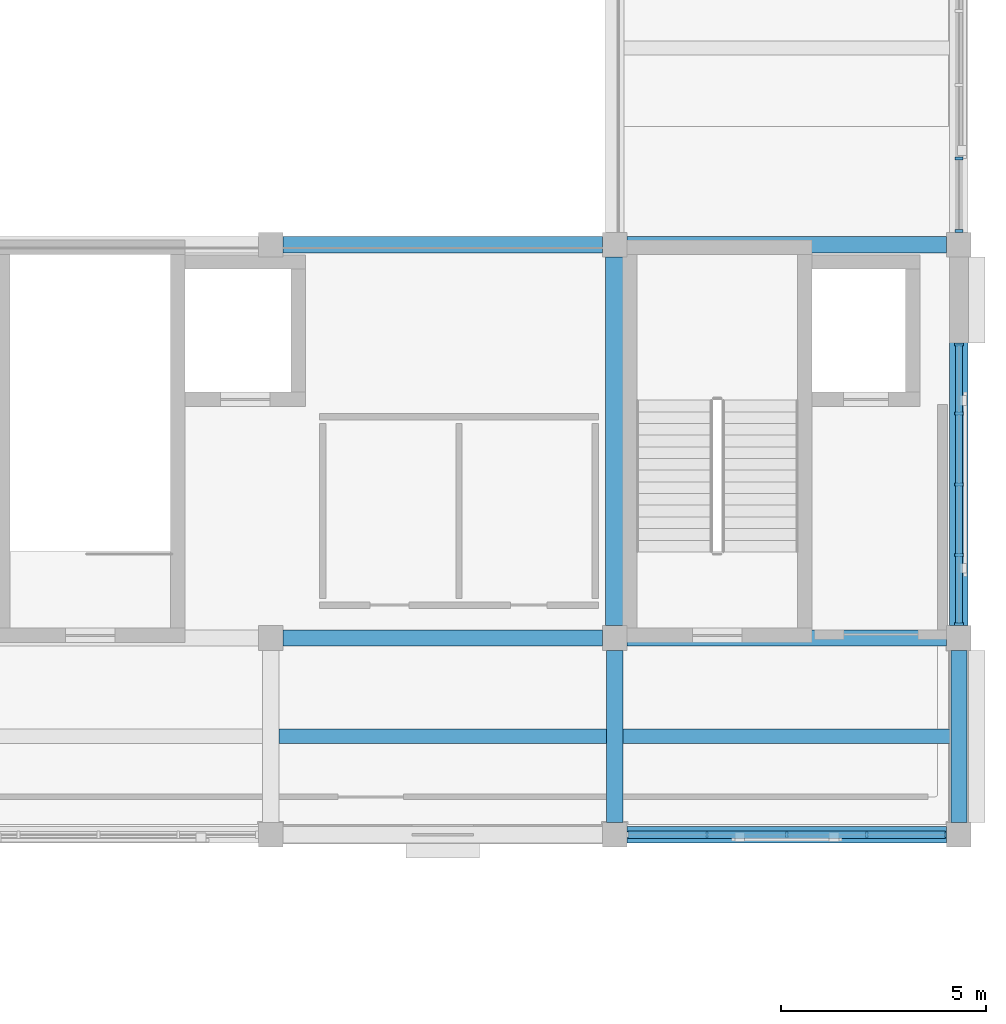
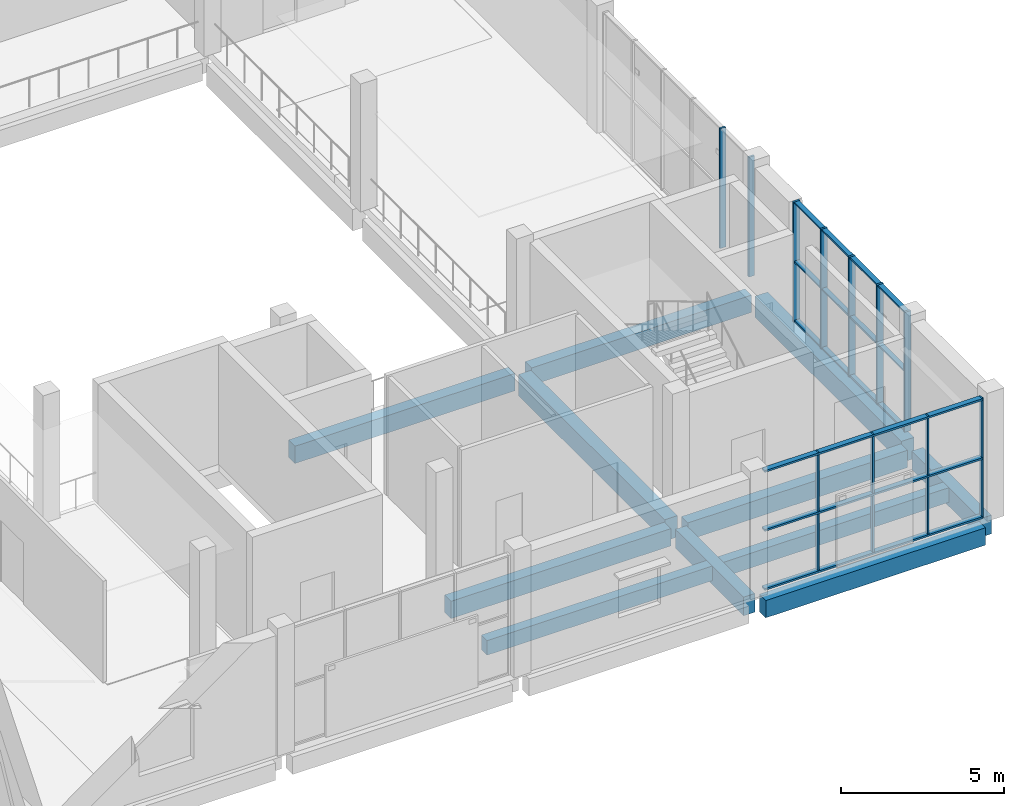
# One storey, part 10 of 37: 17 members, 11 beams, 3 elements without a shape of their own.
"""IFC4 building model written with IfcOpenShell, lengths in metres."""

from ifc_helpers import new_model, si_unit, direction, frame, origin, origin_2d, place, context, subcontext, project, spatial, rectangle, extrude, material, material_profile, profile_set, type_object, element, aggregate, save


model = new_model("IFC4")

# Units and contexts
model_context = context("Model", 3, precision=1e-05, world=origin(), true_north=direction((0.0, 1.0)))
body_context = subcontext(model_context, "Body", "Model", "MODEL_VIEW")
ifc_project = project(units=[si_unit("LENGTHUNIT", "METRE"), si_unit("AREAUNIT", "SQUARE_METRE"), si_unit("VOLUMEUNIT", "CUBIC_METRE"), si_unit("PLANEANGLEUNIT", "RADIAN"), si_unit("MASSUNIT", "GRAM", prefix="KILO")], contexts=[model_context])

# Site, building, storey
site_placement = place(None, origin())
site = spatial("IfcSite", under=ifc_project, at=site_placement, CompositionType="ELEMENT")
building_placement = place(site_placement, origin())
building = spatial("IfcBuilding", under=site, at=building_placement, Name="Shalvenor Court Art Gallery", CompositionType="ELEMENT")
storey_placement = place(building_placement, frame((0.0, 0.0, 22.199951171875)))
storey = spatial("IfcBuildingStorey", under=building, at=storey_placement, Name="L04", CompositionType="ELEMENT", Elevation=22.199951171875)

# Beams
ifc_material_1 = material(Name="Concrete C40/50", Category="concrete")
ifc_material_profile_1 = material_profile(ifc_material_1, rectangle(XDim=0.449951171875, YDim=0.800048828125, at=origin_2d()), Name="RC 450x800")
ifc_profile_set_1 = profile_set([ifc_material_profile_1], Name="Concrete C40/50")
beam_type_1 = type_object("IfcBeamType", Name="B-03", PredefinedType="BEAM", material=ifc_profile_set_1)
for number, where, z_axis, x_axis, name in (
    (1, (168.0, 50.699951171875, -0.699951171875), (0.0, 1.0, 0.0), (-1.0, 0.0, 0.0), "L04 Girder BM-L04-B-03-1194"),
    (2, (176.39990234375, 50.699951171875, -0.699951171875), (0.0, 1.0, 0.0), (-1.0, 0.0, 0.0), "L04 Girder BM-L04-B-03-1200"),
):
    element("IfcBeam", number, at=place(storey_placement, frame(where, z_axis=z_axis, x_axis=x_axis)), inside=storey, type_object=beam_type_1, Name=name, PredefinedType="BEAM", context=body_context, shape_type="SweptSolid", body=[
        extrude(rectangle(XDim=0.449951171875, YDim=0.800048828125, at=origin_2d()), origin(), (0.0, 0.0, 1.0), 9.0),
    ])
ifc_material_2 = material(Name="Concrete C40/50", Category="concrete")
ifc_material_profile_2 = material_profile(ifc_material_2, rectangle(XDim=0.39990234375, YDim=0.699951171875, at=origin_2d()), Name="RC 400x700")
ifc_profile_set_2 = profile_set([ifc_material_profile_2], Name="Concrete C40/50")
beam_type_2 = type_object("IfcBeamType", Name="B-05", PredefinedType="BEAM", material=ifc_profile_set_2)
for number, where, z_axis, x_axis, name in (
    (3, (168.0, 45.89990234375, -0.64990234375), (0.0, 1.0, 0.0), (-1.0, 0.0, 0.0), "L04 Girder BM-L04-B-05-1193"),
    (4, (176.39990234375, 45.89990234375, -0.64990234375), (0.0, 1.0, 0.0), (-1.0, 0.0, 0.0), "L04 Girder BM-L04-B-05-1199"),
):
    element("IfcBeam", number, at=place(storey_placement, frame(where, z_axis=z_axis, x_axis=x_axis)), inside=storey, type_object=beam_type_2, Name=name, PredefinedType="BEAM", context=body_context, shape_type="SweptSolid", body=[
        extrude(rectangle(XDim=0.39990234375, YDim=0.699951171875, at=origin_2d()), origin(), (0.0, 0.0, 1.0), 4.2001953125),
    ])
ifc_material_3 = material(Name="Concrete C40/50", Category="concrete")
ifc_material_profile_3 = material_profile(ifc_material_3, rectangle(XDim=0.39990234375, YDim=0.64990234375, at=origin_2d()), Name="RC 400x650")
ifc_profile_set_3 = profile_set([ifc_material_profile_3], Name="Concrete C40/50")
beam_type_3 = type_object("IfcBeamType", Name="B-06", PredefinedType="BEAM", material=ifc_profile_set_3)
for number, where, z_axis, x_axis, name in (
    (5, (168.300048828125, 45.60009765625, -0.625), (1.0, 0.0, 0.0), (0.0, 1.0, 0.0), "L04 Girder BM-L04-B-06-1218"),
    (6, (159.89990234375, 50.39990234375, -0.625), (1.0, 0.0, 0.0), (0.0, 1.0, 0.0), "L04 Girder BM-L04-B-06-1221"),
    (7, (168.300048828125, 50.39990234375, -0.625), (1.0, 0.0, 0.0), (0.0, 1.0, 0.0), "L04 Girder BM-L04-B-06-1222"),
    (8, (159.89990234375, 60.0, -0.625), (1.0, 0.0, 0.0), (0.0, 1.0, 0.0), "L04 Girder BM-L04-B-06-1225"),
    (9, (168.300048828125, 60.0, -0.625), (1.0, 0.0, 0.0), (0.0, 1.0, 0.0), "L04 Girder BM-L04-B-06-1226"),
):
    element("IfcBeam", number, at=place(storey_placement, frame(where, z_axis=z_axis, x_axis=x_axis)), inside=storey, type_object=beam_type_3, Name=name, PredefinedType="BEAM", context=body_context, shape_type="SweptSolid", body=[
        extrude(rectangle(XDim=0.39990234375, YDim=0.64990234375, at=origin_2d()), origin(), (0.0, 0.0, 1.0), 7.800048828125),
    ])

# Curtain wall, members
ifc_material_4 = material(Name="Anodised aluminium and low-iron glass curtain wall", Category="aluminium")
curtain_wall_type_1 = type_object("IfcCurtainWallType", Name="CW-5x2-90-45-212", PredefinedType="USERDEFINED", material=ifc_material_4)
curtain_wall_1_placement = place(storey_placement, origin())
curtain_wall_1 = element("IfcCurtainWall", 10, at=curtain_wall_1_placement, inside=storey, type_object=curtain_wall_type_1, Name="L04 V1 Curtain Wall CW-L04-033", ObjectType="CURTAIN WALL", PredefinedType="USERDEFINED")
ifc_material_5 = material(Name="Anodised aluminium mullion", Category="aluminium")
ifc_material_profile_4 = material_profile(ifc_material_5, rectangle(XDim=0.070068359375, YDim=0.199951171875, at=origin_2d()), Name="CWM-02")
ifc_profile_set_4 = profile_set([ifc_material_profile_4], Name="Anodised aluminium mullion")
member_type_1 = type_object("IfcMemberType", Name="CWM-02", PredefinedType="MULLION", material=ifc_profile_set_4)
member_1_placement = place(storey_placement, frame((176.39990234375, 62.10009765625, 0.0), z_axis=(0.0, 0.0, 1.0), x_axis=(0.0, -1.0, 0.0)))
member_1 = element("IfcMember", 11, at=member_1_placement, type_object=member_type_1, Name="CW-5x2-90-45-212 mullion 5", PredefinedType="MULLION", context=body_context, shape_type="SweptSolid", body=[
    extrude(rectangle(XDim=0.070068359375, YDim=0.199951171875, at=origin_2d()), origin(), (0.0, 0.0, 1.0), 4.5),
])
member_2_placement = place(storey_placement, frame((176.39990234375, 60.3349609375, 0.0), z_axis=(0.0, 0.0, 1.0), x_axis=(0.0, -1.0, 0.0)))
member_2 = element("IfcMember", 12, at=member_2_placement, type_object=member_type_1, Name="CW-5x2-90-45-212 mullion 6", PredefinedType="MULLION", context=body_context, shape_type="SweptSolid", body=[
    extrude(rectangle(XDim=0.070068359375, YDim=0.199951171875, at=origin_2d()), origin(), (0.0, 0.0, 1.0), 4.5),
])
aggregate(curtain_wall_1, [member_1, member_2])

ifc_material_6 = material(Name="Anodised aluminium and low-iron glass curtain wall", Category="aluminium")
curtain_wall_type_2 = type_object("IfcCurtainWallType", Name="CW-4x2-69-45-422", PredefinedType="USERDEFINED", material=ifc_material_6)
curtain_wall_2_placement = place(storey_placement, origin())
curtain_wall_2 = element("IfcCurtainWall", 13, at=curtain_wall_2_placement, inside=storey, type_object=curtain_wall_type_2, Name="L04 V1 Curtain Wall CW-L04-034", ObjectType="CURTAIN WALL", PredefinedType="USERDEFINED")
ifc_material_7 = material(Name="Anodised aluminium mullion", Category="aluminium")
ifc_material_profile_5 = material_profile(ifc_material_7, rectangle(XDim=0.074951171875, YDim=0.219970703125, at=origin_2d()), Name="CWM-04")
ifc_profile_set_5 = profile_set([ifc_material_profile_5], Name="Anodised aluminium mullion")
member_type_2 = type_object("IfcMemberType", Name="CWM-04", PredefinedType="MULLION", material=ifc_profile_set_5)
member_3_placement = place(storey_placement, frame((176.39990234375, 57.5625, 0.0), z_axis=(0.0, 0.0, 1.0), x_axis=(0.0, -1.0, 0.0)))
member_3 = element("IfcMember", 14, at=member_3_placement, type_object=member_type_2, Name="CW-4x2-69-45-422 mullion 1", PredefinedType="MULLION", context=body_context, shape_type="SweptSolid", body=[
    extrude(rectangle(XDim=0.074951171875, YDim=0.219970703125, at=origin_2d()), origin(), (0.0, 0.0, 1.0), 4.5),
])
member_4_placement = place(storey_placement, frame((176.39990234375, 55.875, 0.0), z_axis=(0.0, 0.0, 1.0), x_axis=(0.0, -1.0, 0.0)))
member_4 = element("IfcMember", 15, at=member_4_placement, type_object=member_type_2, Name="CW-4x2-69-45-422 mullion 2", PredefinedType="MULLION", context=body_context, shape_type="SweptSolid", body=[
    extrude(rectangle(XDim=0.074951171875, YDim=0.219970703125, at=origin_2d()), origin(), (0.0, 0.0, 1.0), 4.5),
])
member_5_placement = place(storey_placement, frame((176.39990234375, 54.14990234375, 0.0), z_axis=(0.0, 0.0, 1.0), x_axis=(0.0, -1.0, 0.0)))
member_5 = element("IfcMember", 16, at=member_5_placement, type_object=member_type_2, Name="CW-4x2-69-45-422 mullion 3", PredefinedType="MULLION", context=body_context, shape_type="SweptSolid", body=[
    extrude(rectangle(XDim=0.074951171875, YDim=0.219970703125, at=origin_2d()), origin(), (0.0, 0.0, 1.0), 4.5),
])
member_6_placement = place(storey_placement, frame((176.39990234375, 52.425048828125, 0.0), z_axis=(0.0, 0.0, 1.0), x_axis=(0.0, -1.0, 0.0)))
member_6 = element("IfcMember", 17, at=member_6_placement, type_object=member_type_2, Name="CW-4x2-69-45-422 mullion 4", PredefinedType="MULLION", context=body_context, shape_type="SweptSolid", body=[
    extrude(rectangle(XDim=0.074951171875, YDim=0.219970703125, at=origin_2d()), origin(), (0.0, 0.0, 1.0), 4.5),
])
member_7_placement = place(storey_placement, frame((176.39990234375, 50.737548828125, 0.0), z_axis=(0.0, 0.0, 1.0), x_axis=(0.0, -1.0, 0.0)))
member_7 = element("IfcMember", 18, at=member_7_placement, type_object=member_type_2, Name="CW-4x2-69-45-422 mullion 5", PredefinedType="MULLION", context=body_context, shape_type="SweptSolid", body=[
    extrude(rectangle(XDim=0.074951171875, YDim=0.219970703125, at=origin_2d()), origin(), (0.0, 0.0, 1.0), 4.5),
])

ifc_material_8 = material(Name="Anodised aluminium and low-iron glass curtain wall", Category="aluminium")
curtain_wall_type_3 = type_object("IfcCurtainWallType", Name="CW-4x2-78-45-642", PredefinedType="USERDEFINED", material=ifc_material_8)
curtain_wall_3_placement = place(storey_placement, origin())
curtain_wall_3 = element("IfcCurtainWall", 19, at=curtain_wall_3_placement, inside=storey, type_object=curtain_wall_type_3, Name="L04 V1 Curtain Wall CW-L04-035", ObjectType="CURTAIN WALL", PredefinedType="USERDEFINED")
ifc_material_9 = material(Name="Anodised aluminium mullion", Category="aluminium")
ifc_material_profile_6 = material_profile(ifc_material_9, rectangle(XDim=0.054931640625, YDim=0.139892578125, at=origin_2d()), Name="CWM-06")
ifc_profile_set_6 = profile_set([ifc_material_profile_6], Name="Anodised aluminium mullion")
member_type_3 = type_object("IfcMemberType", Name="CWM-06", PredefinedType="MULLION", material=ifc_profile_set_6)
member_8_placement = place(storey_placement, frame((176.072509765625, 45.60009765625, 0.0), z_axis=(0.0, 0.0, 1.0), x_axis=(-1.0, 0.0, 0.0)))
member_8 = element("IfcMember", 20, at=member_8_placement, type_object=member_type_3, Name="CW-4x2-78-45-642 mullion 1", PredefinedType="MULLION", context=body_context, shape_type="SweptSolid", body=[
    extrude(rectangle(XDim=0.054931640625, YDim=0.139892578125, at=origin_2d()), origin(), (0.0, 0.0, 1.0), 4.5),
])
member_9_placement = place(storey_placement, frame((174.14990234375, 45.60009765625, 0.0), z_axis=(0.0, 0.0, 1.0), x_axis=(-1.0, 0.0, 0.0)))
member_9 = element("IfcMember", 21, at=member_9_placement, type_object=member_type_3, Name="CW-4x2-78-45-642 mullion 2", PredefinedType="MULLION", context=body_context, shape_type="SweptSolid", body=[
    extrude(rectangle(XDim=0.054931640625, YDim=0.139892578125, at=origin_2d()), origin(), (0.0, 0.0, 1.0), 4.5),
])
member_10_placement = place(storey_placement, frame((172.199951171875, 45.60009765625, 0.0), z_axis=(0.0, 0.0, 1.0), x_axis=(-1.0, 0.0, 0.0)))
member_10 = element("IfcMember", 22, at=member_10_placement, type_object=member_type_3, Name="CW-4x2-78-45-642 mullion 3", PredefinedType="MULLION", context=body_context, shape_type="SweptSolid", body=[
    extrude(rectangle(XDim=0.054931640625, YDim=0.139892578125, at=origin_2d()), origin(), (0.0, 0.0, 1.0), 4.5),
])
member_11_placement = place(storey_placement, frame((170.25, 45.60009765625, 0.0), z_axis=(0.0, 0.0, 1.0), x_axis=(-1.0, 0.0, 0.0)))
member_11 = element("IfcMember", 23, at=member_11_placement, type_object=member_type_3, Name="CW-4x2-78-45-642 mullion 4", PredefinedType="MULLION", context=body_context, shape_type="SweptSolid", body=[
    extrude(rectangle(XDim=0.054931640625, YDim=0.139892578125, at=origin_2d()), origin(), (0.0, 0.0, 1.0), 4.5),
])

# Member
ifc_material_10 = material(Name="Anodised aluminium transom", Category="aluminium")
ifc_material_profile_7 = material_profile(ifc_material_10, rectangle(XDim=0.169921875, YDim=0.06494140625, at=origin_2d()), Name="CWT-02")
ifc_profile_set_7 = profile_set([ifc_material_profile_7], Name="Anodised aluminium transom")
member_type_4 = type_object("IfcMemberType", Name="CWT-02", PredefinedType="USERDEFINED", material=ifc_profile_set_7)
member_12_placement = place(storey_placement, frame((176.39990234375, 57.5625, 0.032470703125), z_axis=(0.0, -1.0, 0.0), x_axis=(1.0, 0.0, 0.0)))
member_12 = element("IfcMember", 24, at=member_12_placement, type_object=member_type_4, Name="CW-4x2-69-45-422 transom 1", ObjectType="TRANSOM", PredefinedType="USERDEFINED", context=body_context, shape_type="SweptSolid", body=[
    extrude(rectangle(XDim=0.169921875, YDim=0.06494140625, at=origin_2d()), origin(), (0.0, 0.0, 1.0), 6.824951171875),
])

member_13_placement = place(storey_placement, frame((176.39990234375, 57.5625, 2.25), z_axis=(0.0, -1.0, 0.0), x_axis=(1.0, 0.0, 0.0)))
member_13 = element("IfcMember", 25, at=member_13_placement, type_object=member_type_4, Name="CW-4x2-69-45-422 transom 2", ObjectType="TRANSOM", PredefinedType="USERDEFINED", context=body_context, shape_type="SweptSolid", body=[
    extrude(rectangle(XDim=0.169921875, YDim=0.06494140625, at=origin_2d()), origin(), (0.0, 0.0, 1.0), 6.824951171875),
])

member_14_placement = place(storey_placement, frame((176.39990234375, 57.5625, 4.467529296875), z_axis=(0.0, -1.0, 0.0), x_axis=(1.0, 0.0, 0.0)))
member_14 = element("IfcMember", 26, at=member_14_placement, type_object=member_type_4, Name="CW-4x2-69-45-422 transom 3", ObjectType="TRANSOM", PredefinedType="USERDEFINED", context=body_context, shape_type="SweptSolid", body=[
    extrude(rectangle(XDim=0.169921875, YDim=0.06494140625, at=origin_2d()), origin(), (0.0, 0.0, 1.0), 6.824951171875),
])

aggregate(curtain_wall_2, [member_3, member_4, member_5, member_6, member_7, member_12, member_13, member_14])

ifc_material_11 = material(Name="Anodised aluminium transom", Category="aluminium")
ifc_material_profile_8 = material_profile(ifc_material_11, rectangle(XDim=0.18994140625, YDim=0.070068359375, at=origin_2d()), Name="CWT-04")
ifc_profile_set_8 = profile_set([ifc_material_profile_8], Name="Anodised aluminium transom")
member_type_5 = type_object("IfcMemberType", Name="CWT-04", PredefinedType="USERDEFINED", material=ifc_profile_set_8)
member_15_placement = place(storey_placement, frame((176.072509765625, 45.60009765625, 0.03515625), z_axis=(-1.0, 0.0, 0.0), x_axis=(0.0, -1.0, 0.0)))
member_15 = element("IfcMember", 27, at=member_15_placement, type_object=member_type_5, Name="CW-4x2-78-45-642 transom 1", ObjectType="TRANSOM", PredefinedType="USERDEFINED", context=body_context, shape_type="SweptSolid", body=[
    extrude(rectangle(XDim=0.18994140625, YDim=0.070068359375, at=origin_2d()), origin(), (0.0, 0.0, 1.0), 7.7451171875),
])

member_16_placement = place(storey_placement, frame((176.072509765625, 45.60009765625, 2.25), z_axis=(-1.0, 0.0, 0.0), x_axis=(0.0, -1.0, 0.0)))
member_16 = element("IfcMember", 28, at=member_16_placement, type_object=member_type_5, Name="CW-4x2-78-45-642 transom 2", ObjectType="TRANSOM", PredefinedType="USERDEFINED", context=body_context, shape_type="SweptSolid", body=[
    extrude(rectangle(XDim=0.18994140625, YDim=0.070068359375, at=origin_2d()), origin(), (0.0, 0.0, 1.0), 7.7451171875),
])

member_17_placement = place(storey_placement, frame((176.072509765625, 45.60009765625, 4.465087890625), z_axis=(-1.0, 0.0, 0.0), x_axis=(0.0, -1.0, 0.0)))
member_17 = element("IfcMember", 29, at=member_17_placement, type_object=member_type_5, Name="CW-4x2-78-45-642 transom 3", ObjectType="TRANSOM", PredefinedType="USERDEFINED", context=body_context, shape_type="SweptSolid", body=[
    extrude(rectangle(XDim=0.18994140625, YDim=0.070068359375, at=origin_2d()), origin(), (0.0, 0.0, 1.0), 7.7451171875),
])

aggregate(curtain_wall_3, [member_8, member_9, member_10, member_11, member_15, member_16, member_17])

# Beams
ifc_material_12 = material(Name="Concrete C40/50", Category="concrete")
ifc_material_profile_9 = material_profile(ifc_material_12, rectangle(XDim=0.35009765625, YDim=0.550048828125, at=origin_2d()), Name="RC 350x550")
ifc_profile_set_9 = profile_set([ifc_material_profile_9], Name="Concrete C40/50")
beam_type_4 = type_object("IfcBeamType", Name="J-02", PredefinedType="JOIST", material=ifc_profile_set_9)
for number, where, z_axis, x_axis, name in (
    (30, (159.800048828125, 48.0, -0.574951171875), (1.0, 0.0, 0.0), (0.0, 1.0, 0.0), "L04 Secondary Beam JST-L04-J-02-1266"),
    (31, (168.199951171875, 48.0, -0.574951171875), (1.0, 0.0, 0.0), (0.0, 1.0, 0.0), "L04 Secondary Beam JST-L04-J-02-1269"),
):
    element("IfcBeam", number, at=place(storey_placement, frame(where, z_axis=z_axis, x_axis=x_axis)), inside=storey, type_object=beam_type_4, Name=name, PredefinedType="JOIST", context=body_context, shape_type="SweptSolid", body=[
        extrude(rectangle(XDim=0.35009765625, YDim=0.550048828125, at=origin_2d()), origin(), (0.0, 0.0, 1.0), 8.0),
    ])

save(model, "model.ifc")
